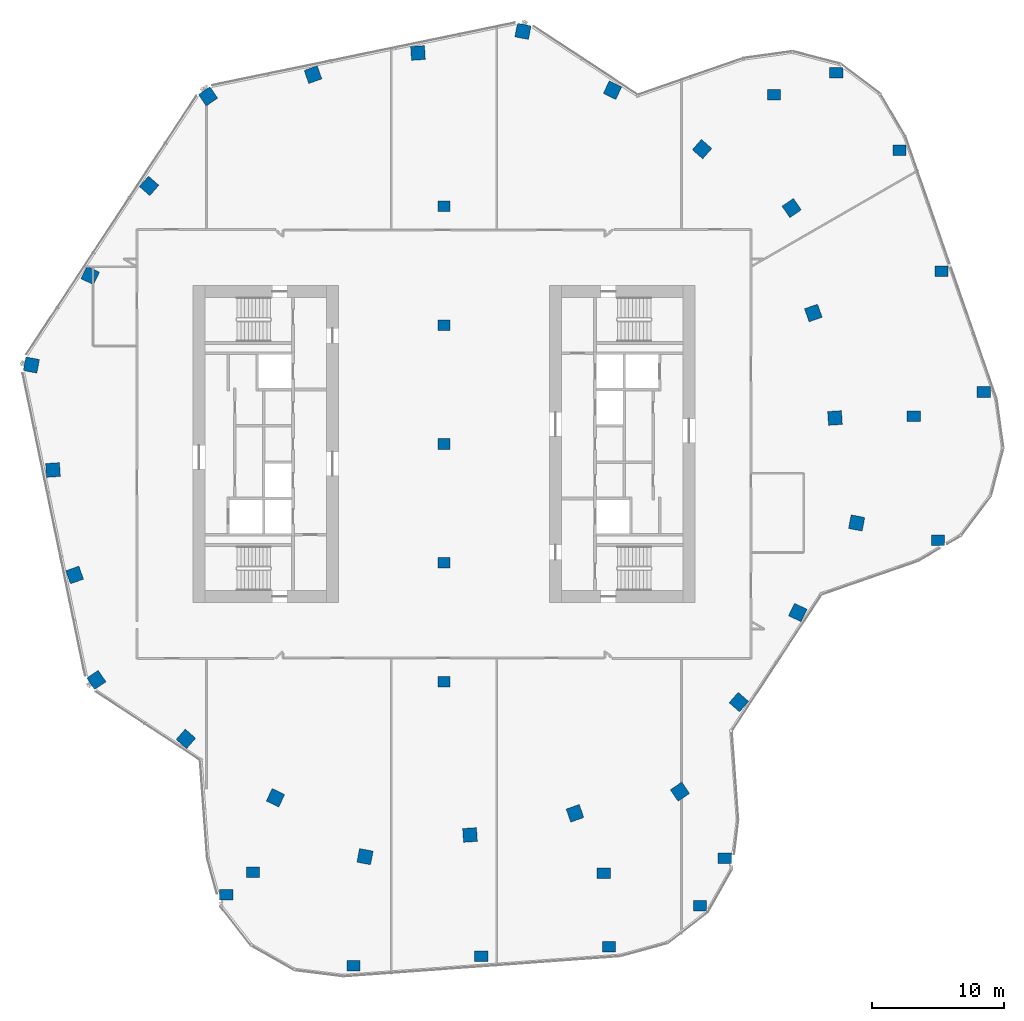
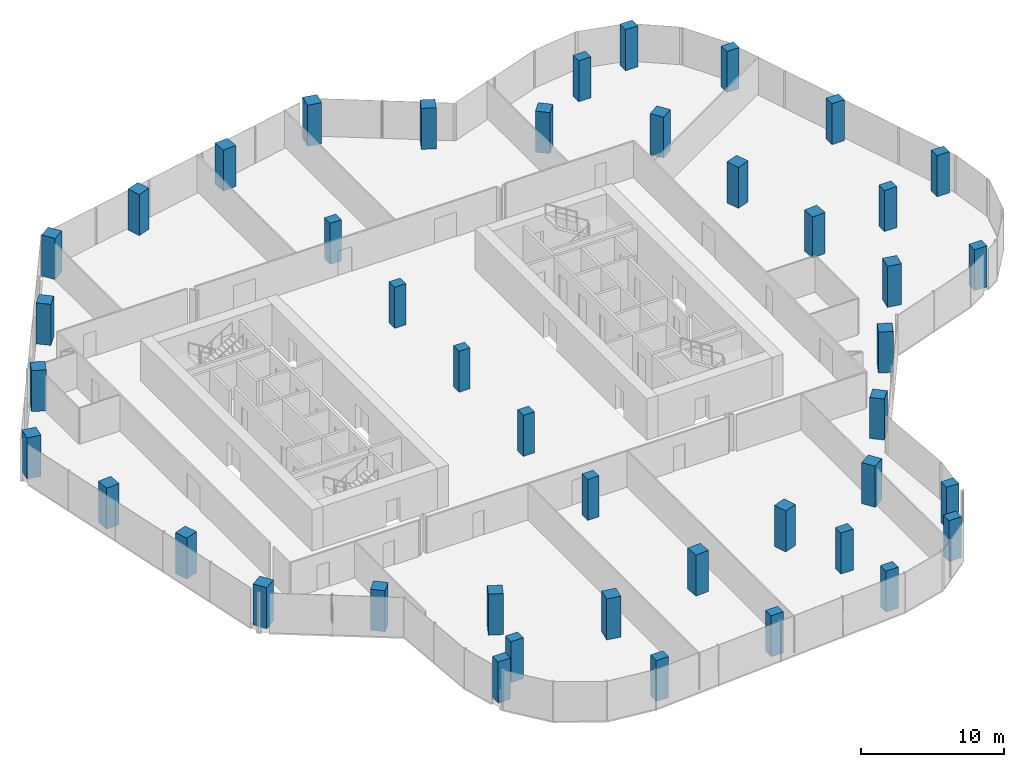
# One storey, part 1 of 24: 44 columns.
"""IFC4 building model written with IfcOpenShell, lengths in metres."""

from ifc_helpers import new_model, si_unit, direction, frame, origin, origin_2d, place, context, subcontext, project, spatial, rectangle, extrude, material, material_profile, profile_set, type_object, element, save


model = new_model("IFC4")

# Units and contexts
model_context = context("Model", 3, precision=1e-05, world=origin(), true_north=direction((0.0, 1.0)))
body_context = subcontext(model_context, "Body", "Model", "MODEL_VIEW")
ifc_project = project(units=[si_unit("LENGTHUNIT", "METRE"), si_unit("AREAUNIT", "SQUARE_METRE"), si_unit("VOLUMEUNIT", "CUBIC_METRE"), si_unit("PLANEANGLEUNIT", "RADIAN"), si_unit("MASSUNIT", "GRAM", prefix="KILO")], contexts=[model_context])

# Site, building, storey
site_placement = place(None, origin())
site = spatial("IfcSite", under=ifc_project, at=site_placement, CompositionType="ELEMENT")
building_placement = place(site_placement, origin())
building = spatial("IfcBuilding", under=site, at=building_placement, Name="Orlundy Tower", CompositionType="ELEMENT")
storey_placement = place(building_placement, frame((0.0, 0.0, 242.5)))
storey = spatial("IfcBuildingStorey", under=building, at=storey_placement, Name="L64", CompositionType="ELEMENT", Elevation=242.5)

# Columns
ifc_material_1 = material(Name="Concrete C60/75", Category="concrete")
ifc_material_profile_1 = material_profile(ifc_material_1, rectangle(XDim=1.0, YDim=0.800048828125, at=origin_2d()), Name="RC1000X800")
ifc_profile_set_1 = profile_set([ifc_material_profile_1], Name="Concrete C60/75")
column_type_1 = type_object("IfcColumnType", Name="RC COLUMN RC1000X800 C60/75", PredefinedType="COLUMN", material=ifc_profile_set_1)
for number, where, z_axis, x_axis, name in (
    (1, (37.423095703125, -7.302001953125, 0.0), (0.0, 0.0, 1.0), (1.0, 0.0, 0.0), "Column C-A1-1 L64"),
    (2, (40.873046875, 3.93798828125, 0.0), (0.0, 0.0, 1.0), (1.0, 0.0, 0.0), "Column C-A2-5 L64"),
    (3, (35.5830078125, 2.09912109375, 0.0), (0.0, 0.0, 1.0), (1.0, 0.0, 0.0), "Column C-A2-6 L64"),
    (4, (37.68798828125, 13.10009765625, 0.0), (0.0, 0.0, 1.0), (1.0, 0.0, 0.0), "Column C-A3-5 L64"),
    (5, (34.50390625, 22.261962890625, 0.0), (0.0, 0.0, 1.0), (1.0, 0.0, 0.0), "Column C-A4-5 L64"),
    (6, (29.7119140625, 28.10595703125, 0.0), (0.0, 0.0, 1.0), (1.0, 0.0, 0.0), "Column C-A5-5 L64"),
    (7, (24.989990234375, 26.465087890625, 0.0), (0.0, 0.0, 1.0), (1.0, 0.0, 0.0), "Column C-A5-6 L64"),
    (8, (-16.4970703125, -34.132080078125, 0.0), (0.0, 0.0, 1.0), (1.0, 0.0, 0.0), "Column C-B1-1 L64"),
    (9, (-14.47509765625, -32.430908203125, 0.0), (0.0, 0.0, 1.0), (1.0, 0.0, 0.0), "Column C-B1-6 L64"),
    (10, (-6.847900390625, -39.501953125, 0.0), (0.0, 0.0, 1.0), (1.0, 0.0, 0.0), "Column C-B2-5 L64"),
    (11, (2.825927734375, -38.797119140625, 0.0), (0.0, 0.0, 1.0), (1.0, 0.0, 0.0), "Column C-B3-5 L64"),
    (12, (12.5009765625, -38.092041015625, 0.0), (0.0, 0.0, 1.0), (1.0, 0.0, 0.0), "Column C-B4-5 L64"),
    (13, (12.093994140625, -32.507080078125, 0.0), (0.0, 0.0, 1.0), (1.0, 0.0, 0.0), "Column C-B4-6 L64"),
    (14, (21.27001953125, -31.3798828125, 0.0), (0.0, 0.0, 1.0), (1.0, 0.0, 0.0), "Column C-B5-1 L64"),
    (15, (19.385986328125, -34.97705078125, 0.0), (0.0, 0.0, 1.0), (1.0, 0.0, 0.0), "Column C-B5-5 L64"),
):
    element("IfcColumn", number, at=place(storey_placement, frame(where, z_axis=z_axis, x_axis=x_axis)), inside=storey, type_object=column_type_1, Name=name, PredefinedType="COLUMN", context=body_context, shape_type="SweptSolid", body=[
        extrude(rectangle(XDim=1.0, YDim=0.800048828125, at=origin_2d()), origin(), (0.0, 0.0, 1.0), 3.5),
    ])
ifc_material_2 = material(Name="Concrete C60/75", Category="concrete")
ifc_material_profile_2 = material_profile(ifc_material_2, rectangle(XDim=1.050048828125, YDim=1.050048828125, at=origin_2d()), Name="RC1050X1050")
ifc_profile_set_2 = profile_set([ifc_material_profile_2], Name="Concrete C60/75")
column_type_2 = type_object("IfcColumnType", Name="RC COLUMN RC1050X1050 C60/75", PredefinedType="COLUMN", material=ifc_profile_set_2)
for number, where, z_axis, x_axis, name in (
    (16, (5.98095703125, 31.2548828125, 0.0), (0.0, 0.0, 1.0), (0.187947040317, 0.982179163919, 0.0), "Column C-H01 L64"),
    (17, (12.763916015625, 26.7939453125, 0.0), (0.0, 0.0, 1.0), (0.430069959039, 0.902795563975, 0.0), "Column C-H02 L64"),
    (18, (19.547119140625, 22.3330078125, 0.0), (0.0, 0.0, 1.0), (0.658610663802, 0.752483882569, 0.0), "Column C-H03 L64"),
    (19, (26.330078125, 17.87109375, 0.0), (0.0, 0.0, 1.0), (0.827413975623, 0.561592479423, 0.0), "Column C-H04 L64"),
    (20, (27.971923828125, 9.9208984375, 0.0), (0.0, 0.0, 1.0), (0.942478249733, 0.334267480891, 0.0), "Column C-H05 L64"),
    (21, (29.613037109375, 1.969970703125, 0.0), (0.0, 0.0, 1.0), (0.997794522634, 0.066378389562, 0.0), "Column C-H06 L64"),
    (22, (31.2548828125, -5.98095703125, 0.0), (0.0, 0.0, 1.0), (0.982179163919, -0.187947040317, 0.0), "Column C-H07 L64"),
    (23, (26.7939453125, -12.763916015625, 0.0), (0.0, 0.0, 1.0), (0.902795563975, -0.430069959039, 0.0), "Column C-H08 L64"),
    (24, (22.3330078125, -19.547119140625, 0.0), (0.0, 0.0, 1.0), (0.752483882569, -0.658610663802, 0.0), "Column C-H09 L64"),
    (25, (17.87109375, -26.330078125, 0.0), (0.0, 0.0, 1.0), (0.561592479423, -0.827413975623, 0.0), "Column C-H10 L64"),
    (26, (9.9208984375, -27.971923828125, 0.0), (0.0, 0.0, 1.0), (0.334267480891, -0.942478249733, 0.0), "Column C-H11 L64"),
    (27, (1.969970703125, -29.613037109375, 0.0), (0.0, 0.0, 1.0), (0.066378389562, -0.997794522634, 0.0), "Column C-H12 L64"),
    (28, (-5.98095703125, -31.2548828125, 0.0), (0.0, 0.0, 1.0), (-0.187947040317, -0.982179163919, 0.0), "Column C-H13 L64"),
    (29, (-12.763916015625, -26.7939453125, 0.0), (0.0, 0.0, 1.0), (-0.430069959039, -0.902795563975, 0.0), "Column C-H14 L64"),
    (30, (-19.547119140625, -22.3330078125, 0.0), (0.0, 0.0, 1.0), (-0.658610663802, -0.752483882569, 0.0), "Column C-H15 L64"),
    (31, (-26.330078125, -17.87109375, 0.0), (0.0, 0.0, 1.0), (-0.827413975623, -0.561592479423, 0.0), "Column C-H16 L64"),
    (32, (-27.971923828125, -9.9208984375, 0.0), (0.0, 0.0, 1.0), (-0.942478249733, -0.334267480891, 0.0), "Column C-H17 L64"),
    (33, (-29.613037109375, -1.969970703125, 0.0), (0.0, 0.0, 1.0), (-0.997794522634, -0.066378389562, 0.0), "Column C-H18 L64"),
    (34, (-31.2548828125, 5.98095703125, 0.0), (0.0, 0.0, 1.0), (-0.982179163919, 0.187947040317, 0.0), "Column C-H19 L64"),
    (35, (-26.7939453125, 12.763916015625, 0.0), (0.0, 0.0, 1.0), (-0.902795563975, 0.430069959039, 0.0), "Column C-H20 L64"),
    (36, (-22.3330078125, 19.547119140625, 0.0), (0.0, 0.0, 1.0), (-0.752483882569, 0.658610663802, 0.0), "Column C-H21 L64"),
    (37, (-17.87109375, 26.330078125, 0.0), (0.0, 0.0, 1.0), (-0.561592479423, 0.827413975623, 0.0), "Column C-H22 L64"),
    (38, (-9.9208984375, 27.971923828125, 0.0), (0.0, 0.0, 1.0), (-0.334267480891, 0.942478249733, 0.0), "Column C-H23 L64"),
    (39, (-1.969970703125, 29.613037109375, 0.0), (0.0, 0.0, 1.0), (-0.066378389562, 0.997794522634, 0.0), "Column C-H24 L64"),
):
    element("IfcColumn", number, at=place(storey_placement, frame(where, z_axis=z_axis, x_axis=x_axis)), inside=storey, type_object=column_type_2, Name=name, PredefinedType="COLUMN", context=body_context, shape_type="SweptSolid", body=[
        extrude(rectangle(XDim=1.050048828125, YDim=1.050048828125, at=origin_2d()), origin(), (0.0, 0.0, 1.0), 3.5),
    ])
ifc_material_3 = material(Name="Concrete C60/75", Category="concrete")
ifc_material_profile_3 = material_profile(ifc_material_3, rectangle(XDim=0.89990234375, YDim=0.800048828125, at=origin_2d()), Name="RC900X800")
ifc_profile_set_3 = profile_set([ifc_material_profile_3], Name="Concrete C60/75")
column_type_3 = type_object("IfcColumnType", Name="RC COLUMN RC900X800 C60/75", PredefinedType="COLUMN", material=ifc_profile_set_3)
for number, where, z_axis, x_axis, name in (
    (40, (0.0, -18.0, 0.0), (0.0, 0.0, 1.0), (1.0, 0.0, 0.0), "Column C-M1 L64"),
    (41, (0.0, -9.0, 0.0), (0.0, 0.0, 1.0), (1.0, 0.0, 0.0), "Column C-M2 L64"),
    (42, (0.0, 0.0, 0.0), (0.0, 0.0, 1.0), (1.0, 0.0, 0.0), "Column C-M3 L64"),
    (43, (0.0, 9.0, 0.0), (0.0, 0.0, 1.0), (1.0, 0.0, 0.0), "Column C-M4 L64"),
    (44, (0.0, 18.0, 0.0), (0.0, 0.0, 1.0), (1.0, 0.0, 0.0), "Column C-M5 L64"),
):
    element("IfcColumn", number, at=place(storey_placement, frame(where, z_axis=z_axis, x_axis=x_axis)), inside=storey, type_object=column_type_3, Name=name, PredefinedType="COLUMN", context=body_context, shape_type="SweptSolid", body=[
        extrude(rectangle(XDim=0.89990234375, YDim=0.800048828125, at=origin_2d()), origin(), (0.0, 0.0, 1.0), 3.5),
    ])

save(model, "model.ifc")
